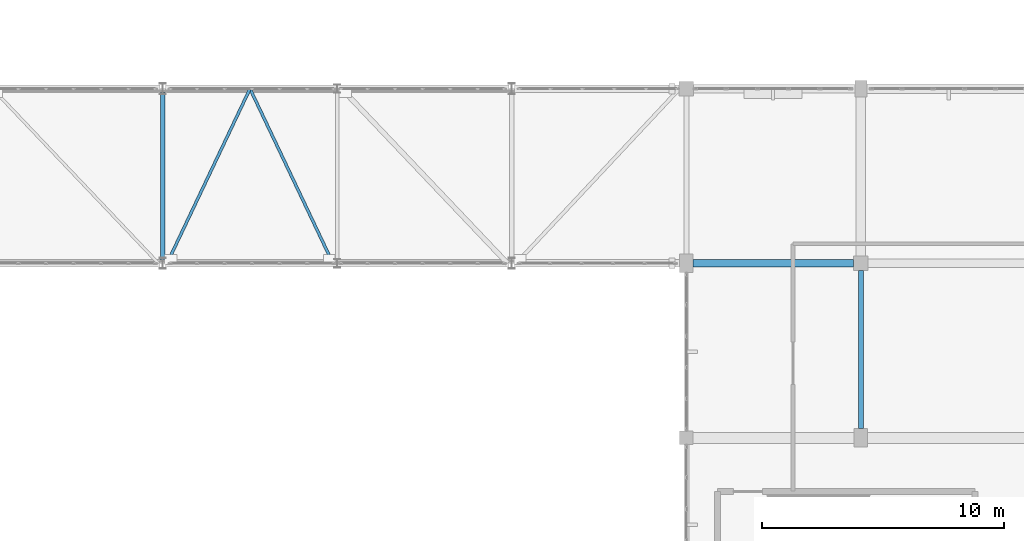
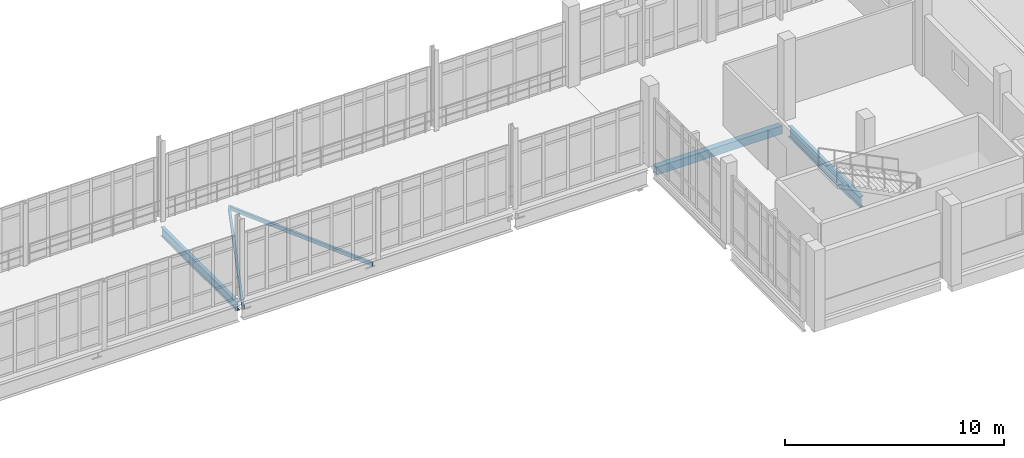
# One storey, part 45 of 124: 3 beams, 2 members.
"""IFC4 building model written with IfcOpenShell, lengths in metres."""

from ifc_helpers import new_model, si_unit, direction, frame, origin, origin_2d, place, context, subcontext, project, spatial, rectangle, hollow_rectangle, i_section, extrude, material, material_profile, profile_set, type_object, element, save


model = new_model("IFC4")

# Units and contexts
model_context = context("Model", 3, precision=1e-05, world=origin(), true_north=direction((0.0, 1.0)))
body_context = subcontext(model_context, "Body", "Model", "MODEL_VIEW")
ifc_project = project(units=[si_unit("LENGTHUNIT", "METRE"), si_unit("AREAUNIT", "SQUARE_METRE"), si_unit("VOLUMEUNIT", "CUBIC_METRE"), si_unit("PLANEANGLEUNIT", "RADIAN"), si_unit("MASSUNIT", "GRAM", prefix="KILO")], contexts=[model_context])

# Site, building, storey
site_placement = place(None, origin())
site = spatial("IfcSite", under=ifc_project, at=site_placement, CompositionType="ELEMENT")
building_placement = place(site_placement, origin())
building = spatial("IfcBuilding", under=site, at=building_placement, Name="Kalluvel Institute of Natural Sciences", CompositionType="ELEMENT")
storey_placement = place(building_placement, frame((0.0, 0.0, 9.89990234375)))
storey = spatial("IfcBuildingStorey", under=building, at=storey_placement, Name="L02", CompositionType="ELEMENT", Elevation=9.89990234375)

# Beams
ifc_material_1 = material(Name="Steel E350 Grade 350", Category="steel")
ifc_material_profile_1 = material_profile(ifc_material_1, i_section(OverallWidth=0.179931640625, OverallDepth=0.5, WebThickness=0.01025390625, FlangeThickness=0.01708984375, FilletRadius=0.01708984375, at=origin_2d()), Name="ISMB 500")
ifc_profile_set_1 = profile_set([ifc_material_profile_1], Name="Steel E350 Grade 350")
beam_type_1 = type_object("IfcBeamType", Name="BM-ISMB500", PredefinedType="BEAM", material=ifc_profile_set_1)
beam_1_placement = place(storey_placement, frame((78.800048828125, 28.5400390625, -0.56982421875), z_axis=(0.0, 1.0, 0.0), x_axis=(-1.0, 0.0, 0.0)))
element("IfcBeam", 1, at=beam_1_placement, inside=storey, type_object=beam_type_1, Name="L02 link bridge cross girder 60", PredefinedType="BEAM", context=body_context, shape_type="SweptSolid", body=[
    extrude(i_section(OverallWidth=0.179931640625, OverallDepth=0.5, WebThickness=0.01025390625, FlangeThickness=0.01708984375, FilletRadius=0.01708984375, at=origin_2d()), origin(), (0.0, 0.0, 1.0), 6.919921875),
])
ifc_material_profile_2 = material_profile(ifc_material_1, i_section(OverallWidth=0.2099609375, OverallDepth=0.60009765625, WebThickness=0.011962890625, FlangeThickness=0.020751953125, FilletRadius=0.02001953125, at=origin_2d()), Name="ISMB 600")
ifc_profile_set_2 = profile_set([ifc_material_profile_2], Name="Steel E350 Grade 350")
beam_type_2 = type_object("IfcBeamType", Name="BM-ISMB600", PredefinedType="BEAM", material=ifc_profile_set_2)
beam_2_placement = place(storey_placement, frame((107.60009765625, 21.574951171875, -0.619873046875), z_axis=(0.0, 1.0, 0.0), x_axis=(-1.0, 0.0, 0.0)))
element("IfcBeam", 2, at=beam_2_placement, inside=storey, type_object=beam_type_2, Name="L02 girder GIR-L02-NS-X1076-Y212", PredefinedType="BEAM", context=body_context, shape_type="SweptSolid", body=[
    extrude(i_section(OverallWidth=0.2099609375, OverallDepth=0.60009765625, WebThickness=0.011962890625, FlangeThickness=0.020751953125, FilletRadius=0.02001953125, at=origin_2d()), origin(), (0.0, 0.0, 1.0), 6.525146484375),
])

# Members
ifc_material_profile_3 = material_profile(ifc_material_1, hollow_rectangle(XDim=0.1201171875, YDim=0.199951171875, WallThickness=0.008056640625, at=origin_2d()), Name="RHS 200x120x8")
ifc_profile_set_3 = profile_set([ifc_material_profile_3], Name="Steel E350 Grade 350")
member_type = type_object("IfcMemberType", Name="MB-BR-RHS200", PredefinedType="BRACE", material=ifc_profile_set_3)
for number, where, z_axis, x_axis, name in (
    (3, (78.97998046875, 28.39990234375, -0.599853515625), (0.429039321605, 0.903285813304, 0.0), (-0.903285813304, 0.429039321605, 0.0), "L02 link bridge horizontal plan brace L02-07-1"),
    (4, (82.39990234375, 35.60009765625, -0.599853515625), (0.429064311405, -0.903273943319, 0.0), (0.903273943319, 0.429064311405, 0.0), "L02 link bridge horizontal plan brace L02-07-2"),
):
    element("IfcMember", number, at=place(storey_placement, frame(where, z_axis=z_axis, x_axis=x_axis)), inside=storey, type_object=member_type, Name=name, PredefinedType="BRACE", context=body_context, shape_type="SweptSolid", body=[
        extrude(hollow_rectangle(XDim=0.1201171875, YDim=0.199951171875, WallThickness=0.008056640625, at=origin_2d()), origin(), (0.0, 0.0, 1.0), 7.97119140625),
    ])

# Beam
ifc_material_2 = material(Name="Concrete M40", Category="concrete")
ifc_material_profile_4 = material_profile(ifc_material_2, rectangle(XDim=0.300048828125, YDim=0.449951171875, at=origin_2d()), Name="RCB 300x450")
ifc_profile_set_4 = profile_set([ifc_material_profile_4], Name="Concrete M40")
beam_type_3 = type_object("IfcBeamType", Name="SP-RC300x450", PredefinedType="SPANDREL", material=ifc_profile_set_4)
beam_3_placement = place(storey_placement, frame((100.675048828125, 28.39990234375, -0.544921875), z_axis=(1.0, 0.0, 0.0), x_axis=(0.0, 1.0, 0.0)))
element("IfcBeam", 5, at=beam_3_placement, inside=storey, type_object=beam_type_3, Name="L02 girder GIR-L02-EW-X1004-Y284", PredefinedType="SPANDREL", context=body_context, shape_type="SweptSolid", body=[
    extrude(rectangle(XDim=0.300048828125, YDim=0.449951171875, at=origin_2d()), origin(), (0.0, 0.0, 1.0), 6.625),
])

save(model, "model.ifc")
